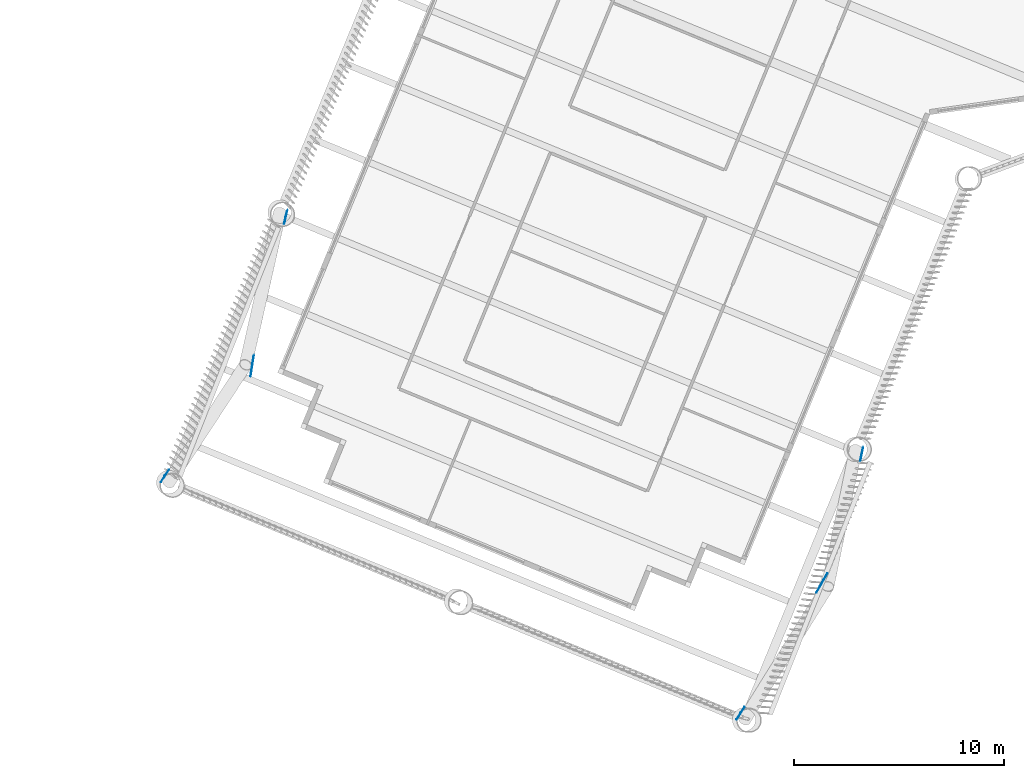
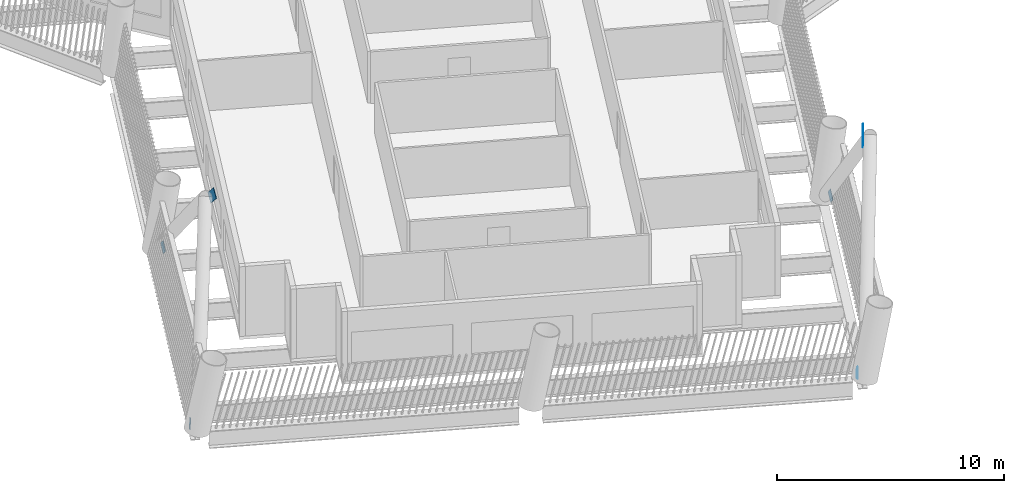
# One storey, part 9 of 23: 6 discrete accessories.
"""IFC4 building model written with IfcOpenShell, lengths in metres."""

from ifc_helpers import new_model, si_unit, direction, frame, origin, origin_2d, place, context, subcontext, project, spatial, rectangle, extrude, material, material_profile, profile_set, type_object, element, save


model = new_model("IFC4")

# Units and contexts
model_context = context("Model", 3, precision=1e-05, world=origin(), true_north=direction((0.0, 1.0)))
body_context = subcontext(model_context, "Body", "Model", "MODEL_VIEW")
ifc_project = project(units=[si_unit("LENGTHUNIT", "METRE"), si_unit("AREAUNIT", "SQUARE_METRE"), si_unit("VOLUMEUNIT", "CUBIC_METRE"), si_unit("PLANEANGLEUNIT", "RADIAN"), si_unit("MASSUNIT", "GRAM", prefix="KILO")], contexts=[model_context])

# Site, building, storey
site_placement = place(None, origin())
site = spatial("IfcSite", under=ifc_project, at=site_placement, CompositionType="ELEMENT")
building_placement = place(site_placement, origin())
building = spatial("IfcBuilding", under=site, at=building_placement, Name="Tarsis Ring Headquarters", CompositionType="ELEMENT")
storey_placement = place(building_placement, frame((0.0, 0.0, 124.0)))
storey = spatial("IfcBuildingStorey", under=building, at=storey_placement, Name="L28", CompositionType="ELEMENT", Elevation=124.0)

# Discrete accessories
ifc_material = material(Name="Structural steel S355", Category="steel")
ifc_material_profile = material_profile(ifc_material, rectangle(XDim=0.02490234375, YDim=0.5, at=origin_2d()), Name="PL 25x500")
ifc_profile_set = profile_set([ifc_material_profile], Name="Structural steel S355")
discrete_accessory_type = type_object("IfcDiscreteAccessoryType", Name="Gusset plate Exo brace 25", PredefinedType="BRACKET", material=ifc_profile_set)
discrete_accessory_1_placement = place(storey_placement, frame((-28.196533203125, -30.392822265625, 0.0), z_axis=(-0.151848554036, -0.673309183329, 0.723599861997), x_axis=(0.975499800249, -0.220000317533, 0.0)))
element("IfcDiscreteAccessory", 1, at=discrete_accessory_1_placement, inside=storey, type_object=discrete_accessory_type, Name="Gusset plate GP5", PredefinedType="BRACKET", context=body_context, shape_type="SweptSolid", body=[
    extrude(rectangle(XDim=0.02490234375, YDim=0.5, at=origin_2d()), origin(), (0.0, 0.0, 1.0), 0.5),
])
discrete_accessory_2_placement = place(storey_placement, frame((-29.775634765625, -37.290283203125, 7.440185546875), z_axis=(-0.10765296181, -0.685951978881, 0.719639300263), x_axis=(0.987907914595, -0.15504177592, 0.0)))
element("IfcDiscreteAccessory", 2, at=discrete_accessory_2_placement, inside=storey, type_object=discrete_accessory_type, Name="Gusset plate GP5", PredefinedType="BRACKET", context=body_context, shape_type="SweptSolid", body=[
    extrude(rectangle(XDim=0.02490234375, YDim=0.5, at=origin_2d()), origin(), (0.0, 0.0, 1.0), 1.0),
])
for number, where, z_axis, x_axis, name in (
    (3, (-34.0693359375, -43.00244140625, 0.0), (0.356451856385, 0.544443588863, 0.759291283122), (-0.836638996841, 0.547754679546, 0.0), "Gusset plate GP5"),
    (4, (-6.706298828125, -54.287841796875, 0.0), (0.366191686834, 0.5868832101, 0.722130006437), (-0.848394594271, 0.529364347507, 0.0), "Gusset plate GP5"),
):
    element("IfcDiscreteAccessory", number, at=place(storey_placement, frame(where, z_axis=z_axis, x_axis=x_axis)), inside=storey, type_object=discrete_accessory_type, Name=name, PredefinedType="BRACKET", context=body_context, shape_type="SweptSolid", body=[
        extrude(rectangle(XDim=0.02490234375, YDim=0.5, at=origin_2d()), origin(), (0.0, 0.0, 1.0), 0.5),
    ])
discrete_accessory_3_placement = place(storey_placement, frame((-2.92626953125, -48.25927734375, 7.439208984375), z_axis=(0.341521855281, 0.602484588158, 0.721370323341), x_axis=(-0.869951619136, 0.493137080701, 0.0)))
element("IfcDiscreteAccessory", 5, at=discrete_accessory_3_placement, inside=storey, type_object=discrete_accessory_type, Name="Gusset plate GP5", PredefinedType="BRACKET", context=body_context, shape_type="SweptSolid", body=[
    extrude(rectangle(XDim=0.02490234375, YDim=0.5, at=origin_2d()), origin(), (0.0, 0.0, 1.0), 1.0),
])
discrete_accessory_4_placement = place(storey_placement, frame((-0.82861328125, -41.66650390625, 0.0), z_axis=(-0.13084998502, -0.6352083228, 0.761175845692), x_axis=(0.979435170992, -0.201759128229, 0.0)))
element("IfcDiscreteAccessory", 6, at=discrete_accessory_4_placement, inside=storey, type_object=discrete_accessory_type, Name="Gusset plate GP5", PredefinedType="BRACKET", context=body_context, shape_type="SweptSolid", body=[
    extrude(rectangle(XDim=0.02490234375, YDim=0.5, at=origin_2d()), origin(), (0.0, 0.0, 1.0), 0.5),
])

save(model, "model.ifc")
